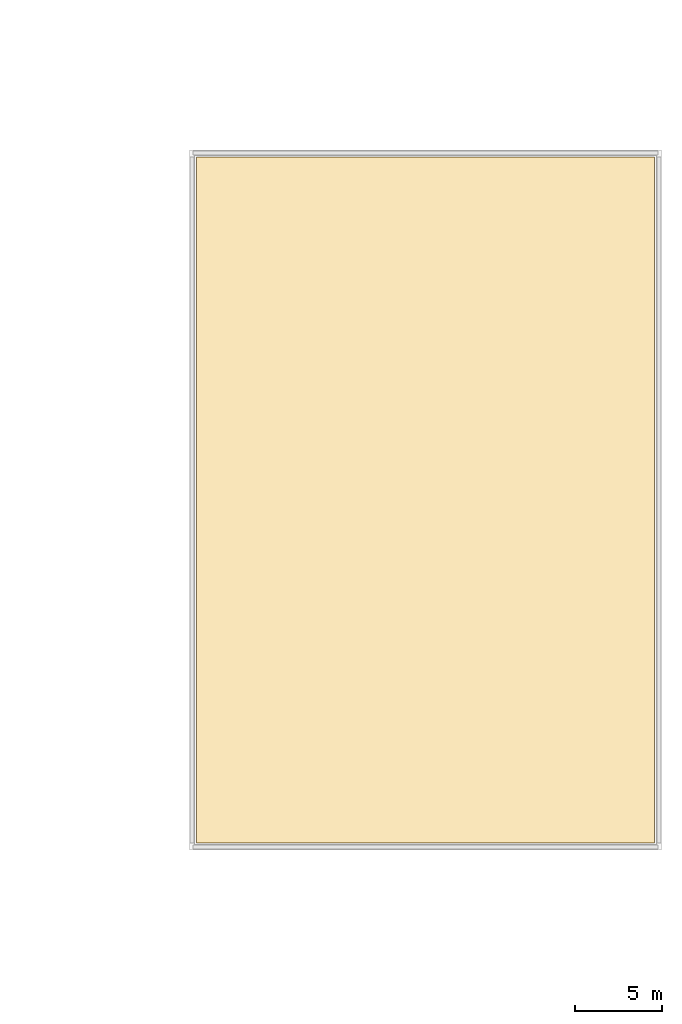
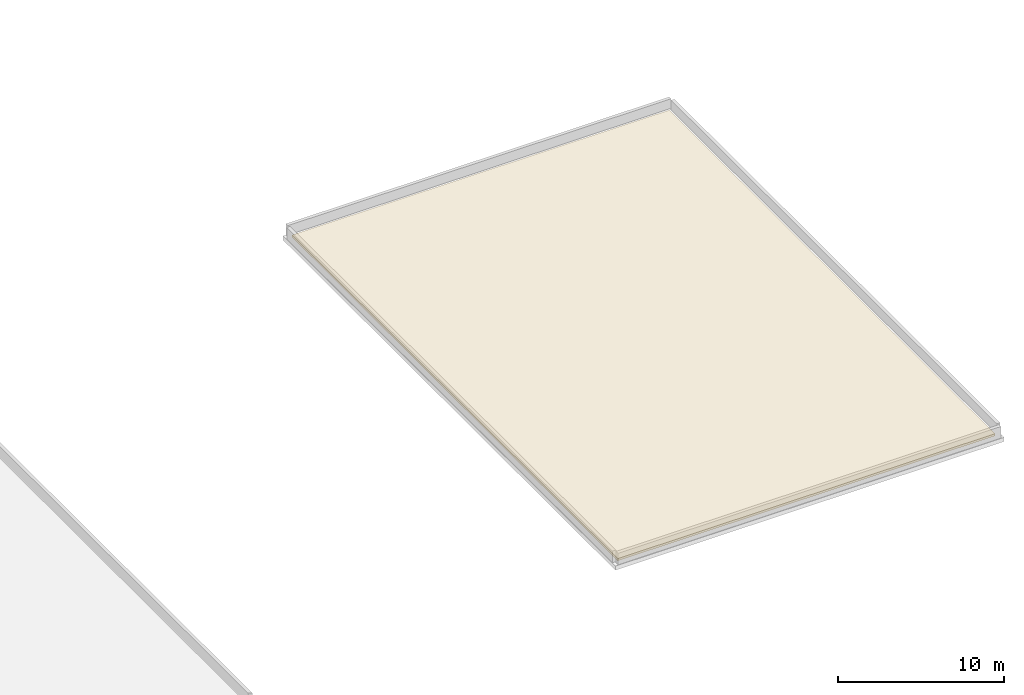
# One storey, part 23 of 23: 1 covering.
"""IFC4 building model written with IfcOpenShell, lengths in metres."""

from ifc_helpers import new_model, si_unit, direction, frame, origin, place, context, subcontext, project, spatial, polyline, outline, extrude, material, layer, layer_set, type_object, element, save


model = new_model("IFC4")

# Units and contexts
model_context = context("Model", 3, precision=1e-05, world=origin(), true_north=direction((0.0, 1.0)))
body_context = subcontext(model_context, "Body", "Model", "MODEL_VIEW")
ifc_project = project(units=[si_unit("LENGTHUNIT", "METRE"), si_unit("AREAUNIT", "SQUARE_METRE"), si_unit("VOLUMEUNIT", "CUBIC_METRE"), si_unit("PLANEANGLEUNIT", "RADIAN"), si_unit("MASSUNIT", "GRAM", prefix="KILO")], contexts=[model_context])

# Site, building, storey
site_placement = place(None, origin())
site = spatial("IfcSite", under=ifc_project, at=site_placement, CompositionType="ELEMENT")
building_placement = place(site_placement, origin())
building = spatial("IfcBuilding", under=site, at=building_placement, Name="Zaverband Oceanarium and Marine Research Institute", CompositionType="ELEMENT")
storey_placement = place(building_placement, frame((0.0, 0.0, 21.89990234375)))
storey = spatial("IfcBuildingStorey", under=building, at=storey_placement, Name="L05", CompositionType="ELEMENT", Elevation=21.89990234375)

# Covering
ifc_material = material(Name="TPO reflective membrane over rigid PIR roof insulation")
ifc_layer = layer(ifc_material, 0.159912109375, Name="TPO reflective membrane over rigid PIR roof insulation")
ifc_layer_set = layer_set([ifc_layer], Name="TPO reflective membrane over rigid PIR roof insulation")
covering_type = type_object("IfcCoveringType", Name="COV-ROOF-160", PredefinedType="ROOFING", material=ifc_layer_set)
covering_placement = place(storey_placement, frame((0.0, 0.0, 0.010009765625)))
element("IfcCovering", 1, at=covering_placement, inside=storey, type_object=covering_type, Name="Insulated coastal membrane roofing COV-ROOF-160", PredefinedType="ROOFING", context=body_context, shape_type="SweptSolid", body=[
    extrude(outline(polyline([(135.39990234375, 8.39990234375), (161.60009765625, 8.39990234375), (161.60009765625, 47.60009765625), (135.39990234375, 47.60009765625), (135.39990234375, 8.39990234375)])), origin(), (0.0, 0.0, 1.0), 0.16015625),
])

save(model, "model.ifc")
